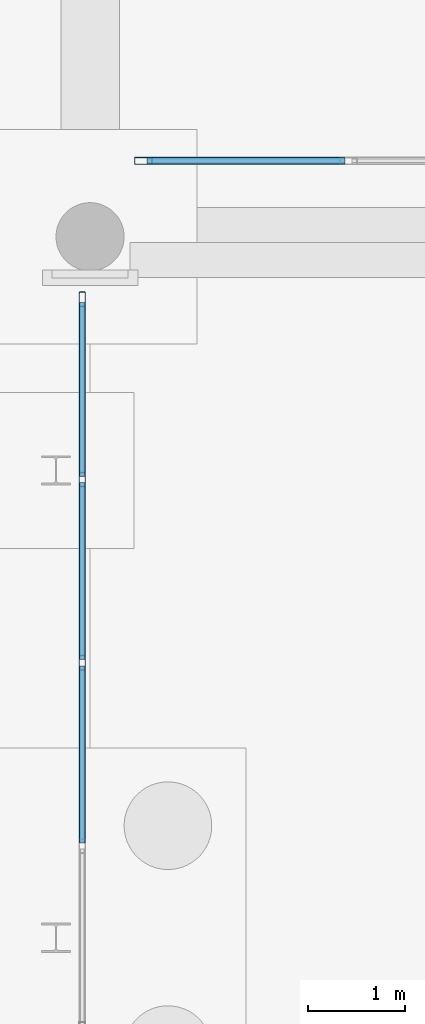
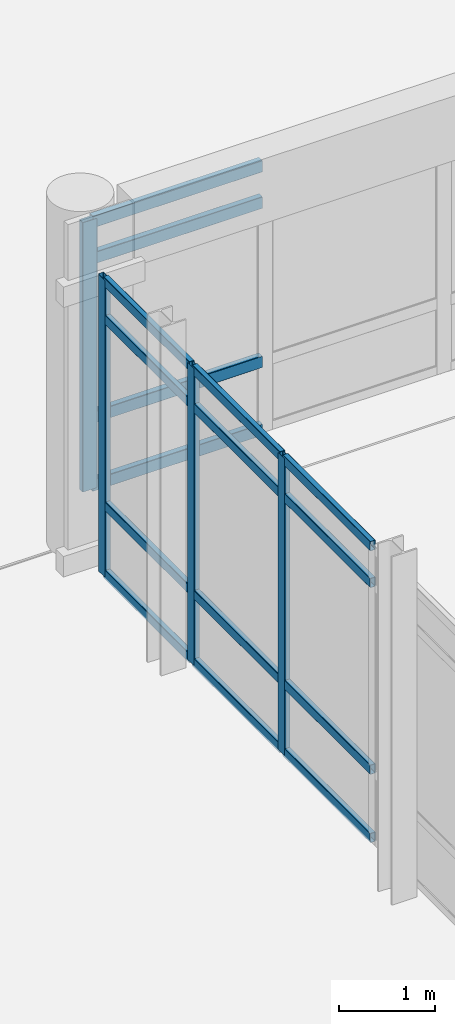
# One storey, part 114 of 196: 20 members, 2 elements without a shape of their own.
"""IFC4 building model written with IfcOpenShell, lengths in metres."""

from ifc_helpers import new_model, si_unit, direction, frame, origin, origin_2d, place, context, subcontext, project, spatial, hollow_rectangle, extrude, material, layer, layer_set, material_profile, profile_set, type_object, element, aggregate, save


model = new_model("IFC4")

# Units and contexts
model_context = context("Model", 3, precision=1e-05, world=origin(), true_north=direction((0.0, 1.0)))
body_context = subcontext(model_context, "Body", "Model", "MODEL_VIEW")
ifc_project = project(units=[si_unit("LENGTHUNIT", "METRE"), si_unit("AREAUNIT", "SQUARE_METRE"), si_unit("VOLUMEUNIT", "CUBIC_METRE"), si_unit("PLANEANGLEUNIT", "RADIAN"), si_unit("MASSUNIT", "GRAM", prefix="KILO")], contexts=[model_context])

# Site, building, storey
site_placement = place(None, origin())
site = spatial("IfcSite", under=ifc_project, at=site_placement, CompositionType="ELEMENT")
building_placement = place(site_placement, origin())
building = spatial("IfcBuilding", under=site, at=building_placement, Name="Asteropetra Specialist Clinic", CompositionType="ELEMENT")
storey_placement = place(building_placement, origin())
storey = spatial("IfcBuildingStorey", under=building, at=storey_placement, Name="L00", CompositionType="ELEMENT", Elevation=0.0)

# Curtain wall, members
ifc_material_1 = material(Name="Aluminium and low-E glass", Category="aluminium")
ifc_layer_1 = layer(ifc_material_1, 0.179931640625)
ifc_layer_set_1 = layer_set([ifc_layer_1], Name="Aluminium and low-E glass")
curtain_wall_type_1 = type_object("IfcCurtainWallType", Name="CW-SYS-01", PredefinedType="USERDEFINED", material=ifc_layer_set_1)
curtain_wall_1_placement = place(storey_placement, origin())
curtain_wall_1 = element("IfcCurtainWall", 1, at=curtain_wall_1_placement, inside=storey, type_object=curtain_wall_type_1, Name="Curtain Wall CW-118", ObjectType="UNITISED CURTAIN WALL", PredefinedType="USERDEFINED")
ifc_material_2 = material(Name="Aluminium 6063-T6", Category="aluminium")
ifc_material_profile_1 = material_profile(ifc_material_2, hollow_rectangle(XDim=0.06494140625, YDim=0.14990234375, WallThickness=0.00390625, InnerFilletRadius=0.00390625, OuterFilletRadius=0.008056640625, at=origin_2d()), Name="MUL 150x65x4.0")
ifc_profile_set_1 = profile_set([ifc_material_profile_1], Name="Aluminium 6063-T6")
member_type_1 = type_object("IfcMemberType", Name="CWM-150x65", PredefinedType="MULLION", material=ifc_profile_set_1)
member_1_placement = place(storey_placement, frame((124.719970703125, 76.157470703125, 0.0), z_axis=(0.0, 0.0, 1.0), x_axis=(1.0, 0.0, 0.0)))
member_1 = element("IfcMember", 2, at=member_1_placement, type_object=member_type_1, Name="CW-118 mullion 1", PredefinedType="MULLION", context=body_context, shape_type="SweptSolid", body=[
    extrude(hollow_rectangle(XDim=0.06494140625, YDim=0.14990234375, WallThickness=0.00390625, InnerFilletRadius=0.00390625, OuterFilletRadius=0.008056640625, at=origin_2d()), origin(), (0.0, 0.0, 1.0), 3.77001953125),
])
member_2_placement = place(storey_placement, frame((124.719970703125, 74.30712890625, 0.0), z_axis=(0.0, 0.0, 1.0), x_axis=(1.0, 0.0, 0.0)))
member_2 = element("IfcMember", 3, at=member_2_placement, type_object=member_type_1, Name="CW-118 mullion 2", PredefinedType="MULLION", context=body_context, shape_type="SweptSolid", body=[
    extrude(hollow_rectangle(XDim=0.06494140625, YDim=0.14990234375, WallThickness=0.00390625, InnerFilletRadius=0.00390625, OuterFilletRadius=0.008056640625, at=origin_2d()), origin(), (0.0, 0.0, 1.0), 3.77001953125),
])
member_3_placement = place(storey_placement, frame((124.719970703125, 72.42431640625, 0.0), z_axis=(0.0, 0.0, 1.0), x_axis=(1.0, 0.0, 0.0)))
member_3 = element("IfcMember", 4, at=member_3_placement, type_object=member_type_1, Name="CW-118 mullion 3", PredefinedType="MULLION", context=body_context, shape_type="SweptSolid", body=[
    extrude(hollow_rectangle(XDim=0.06494140625, YDim=0.14990234375, WallThickness=0.00390625, InnerFilletRadius=0.00390625, OuterFilletRadius=0.008056640625, at=origin_2d()), origin(), (0.0, 0.0, 1.0), 3.77001953125),
])

# Curtain wall, member
ifc_material_3 = material(Name="Aluminium and low-E glass", Category="aluminium")
ifc_layer_2 = layer(ifc_material_3, 0.135009765625)
ifc_layer_set_2 = layer_set([ifc_layer_2], Name="Aluminium and low-E glass")
curtain_wall_type_2 = type_object("IfcCurtainWallType", Name="CW-SYS-09", PredefinedType="USERDEFINED", material=ifc_layer_set_2)
curtain_wall_2_placement = place(storey_placement, origin())
curtain_wall_2 = element("IfcCurtainWall", 5, at=curtain_wall_2_placement, inside=storey, type_object=curtain_wall_type_2, Name="Curtain Wall CW-210", ObjectType="STICK GLAZED COLONNADE", PredefinedType="USERDEFINED")
ifc_material_4 = material(Name="Aluminium 6063-T6", Category="aluminium")
ifc_material_profile_2 = material_profile(ifc_material_4, hollow_rectangle(XDim=0.074951171875, YDim=0.179931640625, WallThickness=0.00390625, InnerFilletRadius=0.00390625, OuterFilletRadius=0.008056640625, at=origin_2d()), Name="MUL 180x75x4.0")
ifc_profile_set_2 = profile_set([ifc_material_profile_2], Name="Aluminium 6063-T6")
member_type_2 = type_object("IfcMemberType", Name="CWM-180x75", PredefinedType="MULLION", material=ifc_profile_set_2)
member_4_placement = place(storey_placement, frame((125.347412109375, 77.580078125, 0.0), z_axis=(0.0, 0.0, 1.0), x_axis=(0.0, 1.0, 0.0)))
member_4 = element("IfcMember", 6, at=member_4_placement, type_object=member_type_2, Name="CW-210 mullion 1", PredefinedType="MULLION", context=body_context, shape_type="SweptSolid", body=[
    extrude(hollow_rectangle(XDim=0.074951171875, YDim=0.179931640625, WallThickness=0.00390625, InnerFilletRadius=0.00390625, OuterFilletRadius=0.008056640625, at=origin_2d()), origin(), (0.0, 0.0, 1.0), 3.419921875),
])

# Member
ifc_material_5 = material(Name="Aluminium 6063-T6", Category="aluminium")
ifc_material_profile_3 = material_profile(ifc_material_5, hollow_rectangle(XDim=0.06494140625, YDim=0.1201171875, WallThickness=0.00390625, InnerFilletRadius=0.00390625, OuterFilletRadius=0.008056640625, at=origin_2d()), Name="TRN 120x65x4.0")
ifc_profile_set_3 = profile_set([ifc_material_profile_3], Name="Aluminium 6063-T6")
member_type_3 = type_object("IfcMemberType", Name="CWT-120x65", PredefinedType="USERDEFINED", material=ifc_profile_set_3)
member_5_placement = place(storey_placement, frame((124.719970703125, 76.125, 0.032470703125), z_axis=(0.0, -1.0, 0.0), x_axis=(1.0, 0.0, 0.0)))
member_5 = element("IfcMember", 7, at=member_5_placement, type_object=member_type_3, Name="CW-118 transom 1.1", ObjectType="TRANSOM", PredefinedType="USERDEFINED", context=body_context, shape_type="SweptSolid", body=[
    extrude(hollow_rectangle(XDim=0.06494140625, YDim=0.1201171875, WallThickness=0.00390625, InnerFilletRadius=0.00390625, OuterFilletRadius=0.008056640625, at=origin_2d()), origin(), (0.0, 0.0, 1.0), 1.785400390625),
])

member_6_placement = place(storey_placement, frame((124.719970703125, 76.125, 0.89990234375), z_axis=(0.0, -1.0, 0.0), x_axis=(1.0, 0.0, 0.0)))
member_6 = element("IfcMember", 8, at=member_6_placement, type_object=member_type_3, Name="CW-118 transom 1.2", ObjectType="TRANSOM", PredefinedType="USERDEFINED", context=body_context, shape_type="SweptSolid", body=[
    extrude(hollow_rectangle(XDim=0.06494140625, YDim=0.1201171875, WallThickness=0.00390625, InnerFilletRadius=0.00390625, OuterFilletRadius=0.008056640625, at=origin_2d()), origin(), (0.0, 0.0, 1.0), 1.785400390625),
])

member_7_placement = place(storey_placement, frame((124.719970703125, 76.125, 3.27001953125), z_axis=(0.0, -1.0, 0.0), x_axis=(1.0, 0.0, 0.0)))
member_7 = element("IfcMember", 9, at=member_7_placement, type_object=member_type_3, Name="CW-118 transom 1.3", ObjectType="TRANSOM", PredefinedType="USERDEFINED", context=body_context, shape_type="SweptSolid", body=[
    extrude(hollow_rectangle(XDim=0.06494140625, YDim=0.1201171875, WallThickness=0.00390625, InnerFilletRadius=0.00390625, OuterFilletRadius=0.008056640625, at=origin_2d()), origin(), (0.0, 0.0, 1.0), 1.785400390625),
])

member_8_placement = place(storey_placement, frame((124.719970703125, 76.125, 3.737548828125), z_axis=(0.0, -1.0, 0.0), x_axis=(1.0, 0.0, 0.0)))
member_8 = element("IfcMember", 10, at=member_8_placement, type_object=member_type_3, Name="CW-118 transom 1.4", ObjectType="TRANSOM", PredefinedType="USERDEFINED", context=body_context, shape_type="SweptSolid", body=[
    extrude(hollow_rectangle(XDim=0.06494140625, YDim=0.1201171875, WallThickness=0.00390625, InnerFilletRadius=0.00390625, OuterFilletRadius=0.008056640625, at=origin_2d()), origin(), (0.0, 0.0, 1.0), 1.785400390625),
])

member_9_placement = place(storey_placement, frame((124.719970703125, 74.274658203125, 0.032470703125), z_axis=(0.0, -1.0, 0.0), x_axis=(1.0, 0.0, 0.0)))
member_9 = element("IfcMember", 11, at=member_9_placement, type_object=member_type_3, Name="CW-118 transom 2.1", ObjectType="TRANSOM", PredefinedType="USERDEFINED", context=body_context, shape_type="SweptSolid", body=[
    extrude(hollow_rectangle(XDim=0.06494140625, YDim=0.1201171875, WallThickness=0.00390625, InnerFilletRadius=0.00390625, OuterFilletRadius=0.008056640625, at=origin_2d()), origin(), (0.0, 0.0, 1.0), 1.81787109375),
])

member_10_placement = place(storey_placement, frame((124.719970703125, 74.274658203125, 0.89990234375), z_axis=(0.0, -1.0, 0.0), x_axis=(1.0, 0.0, 0.0)))
member_10 = element("IfcMember", 12, at=member_10_placement, type_object=member_type_3, Name="CW-118 transom 2.2", ObjectType="TRANSOM", PredefinedType="USERDEFINED", context=body_context, shape_type="SweptSolid", body=[
    extrude(hollow_rectangle(XDim=0.06494140625, YDim=0.1201171875, WallThickness=0.00390625, InnerFilletRadius=0.00390625, OuterFilletRadius=0.008056640625, at=origin_2d()), origin(), (0.0, 0.0, 1.0), 1.81787109375),
])

member_11_placement = place(storey_placement, frame((124.719970703125, 74.274658203125, 3.27001953125), z_axis=(0.0, -1.0, 0.0), x_axis=(1.0, 0.0, 0.0)))
member_11 = element("IfcMember", 13, at=member_11_placement, type_object=member_type_3, Name="CW-118 transom 2.3", ObjectType="TRANSOM", PredefinedType="USERDEFINED", context=body_context, shape_type="SweptSolid", body=[
    extrude(hollow_rectangle(XDim=0.06494140625, YDim=0.1201171875, WallThickness=0.00390625, InnerFilletRadius=0.00390625, OuterFilletRadius=0.008056640625, at=origin_2d()), origin(), (0.0, 0.0, 1.0), 1.81787109375),
])

member_12_placement = place(storey_placement, frame((124.719970703125, 74.274658203125, 3.737548828125), z_axis=(0.0, -1.0, 0.0), x_axis=(1.0, 0.0, 0.0)))
member_12 = element("IfcMember", 14, at=member_12_placement, type_object=member_type_3, Name="CW-118 transom 2.4", ObjectType="TRANSOM", PredefinedType="USERDEFINED", context=body_context, shape_type="SweptSolid", body=[
    extrude(hollow_rectangle(XDim=0.06494140625, YDim=0.1201171875, WallThickness=0.00390625, InnerFilletRadius=0.00390625, OuterFilletRadius=0.008056640625, at=origin_2d()), origin(), (0.0, 0.0, 1.0), 1.81787109375),
])

member_13_placement = place(storey_placement, frame((124.719970703125, 72.391845703125, 0.032470703125), z_axis=(0.0, -1.0, 0.0), x_axis=(1.0, 0.0, 0.0)))
member_13 = element("IfcMember", 15, at=member_13_placement, type_object=member_type_3, Name="CW-118 transom 3.1", ObjectType="TRANSOM", PredefinedType="USERDEFINED", context=body_context, shape_type="SweptSolid", body=[
    extrude(hollow_rectangle(XDim=0.06494140625, YDim=0.1201171875, WallThickness=0.00390625, InnerFilletRadius=0.00390625, OuterFilletRadius=0.008056640625, at=origin_2d()), origin(), (0.0, 0.0, 1.0), 1.81787109375),
])

member_14_placement = place(storey_placement, frame((124.719970703125, 72.391845703125, 0.89990234375), z_axis=(0.0, -1.0, 0.0), x_axis=(1.0, 0.0, 0.0)))
member_14 = element("IfcMember", 16, at=member_14_placement, type_object=member_type_3, Name="CW-118 transom 3.2", ObjectType="TRANSOM", PredefinedType="USERDEFINED", context=body_context, shape_type="SweptSolid", body=[
    extrude(hollow_rectangle(XDim=0.06494140625, YDim=0.1201171875, WallThickness=0.00390625, InnerFilletRadius=0.00390625, OuterFilletRadius=0.008056640625, at=origin_2d()), origin(), (0.0, 0.0, 1.0), 1.81787109375),
])

member_15_placement = place(storey_placement, frame((124.719970703125, 72.391845703125, 3.27001953125), z_axis=(0.0, -1.0, 0.0), x_axis=(1.0, 0.0, 0.0)))
member_15 = element("IfcMember", 17, at=member_15_placement, type_object=member_type_3, Name="CW-118 transom 3.3", ObjectType="TRANSOM", PredefinedType="USERDEFINED", context=body_context, shape_type="SweptSolid", body=[
    extrude(hollow_rectangle(XDim=0.06494140625, YDim=0.1201171875, WallThickness=0.00390625, InnerFilletRadius=0.00390625, OuterFilletRadius=0.008056640625, at=origin_2d()), origin(), (0.0, 0.0, 1.0), 1.81787109375),
])

member_16_placement = place(storey_placement, frame((124.719970703125, 72.391845703125, 3.737548828125), z_axis=(0.0, -1.0, 0.0), x_axis=(1.0, 0.0, 0.0)))
member_16 = element("IfcMember", 18, at=member_16_placement, type_object=member_type_3, Name="CW-118 transom 3.4", ObjectType="TRANSOM", PredefinedType="USERDEFINED", context=body_context, shape_type="SweptSolid", body=[
    extrude(hollow_rectangle(XDim=0.06494140625, YDim=0.1201171875, WallThickness=0.00390625, InnerFilletRadius=0.00390625, OuterFilletRadius=0.008056640625, at=origin_2d()), origin(), (0.0, 0.0, 1.0), 1.81787109375),
])

aggregate(curtain_wall_1, [member_1, member_2, member_3, member_5, member_6, member_7, member_8, member_9, member_10, member_11, member_12, member_13, member_14, member_15, member_16])

ifc_material_6 = material(Name="Aluminium 6063-T6", Category="aluminium")
ifc_material_profile_4 = material_profile(ifc_material_6, hollow_rectangle(XDim=0.074951171875, YDim=0.14990234375, WallThickness=0.00390625, InnerFilletRadius=0.00390625, OuterFilletRadius=0.008056640625, at=origin_2d()), Name="TRN 150x75x4.0")
ifc_profile_set_4 = profile_set([ifc_material_profile_4], Name="Aluminium 6063-T6")
member_type_4 = type_object("IfcMemberType", Name="CWT-150x75", PredefinedType="USERDEFINED", material=ifc_profile_set_4)
member_17_placement = place(storey_placement, frame((125.385009765625, 77.580078125, 0.03759765625), z_axis=(1.0, 0.0, 0.0), x_axis=(0.0, 1.0, 0.0)))
member_17 = element("IfcMember", 19, at=member_17_placement, type_object=member_type_4, Name="CW-210 transom 1.1", ObjectType="TRANSOM", PredefinedType="USERDEFINED", context=body_context, shape_type="SweptSolid", body=[
    extrude(hollow_rectangle(XDim=0.074951171875, YDim=0.14990234375, WallThickness=0.00390625, InnerFilletRadius=0.00390625, OuterFilletRadius=0.008056640625, at=origin_2d()), origin(), (0.0, 0.0, 1.0), 2.032470703125),
])

member_18_placement = place(storey_placement, frame((125.385009765625, 77.580078125, 0.89990234375), z_axis=(1.0, 0.0, 0.0), x_axis=(0.0, 1.0, 0.0)))
member_18 = element("IfcMember", 20, at=member_18_placement, type_object=member_type_4, Name="CW-210 transom 1.2", ObjectType="TRANSOM", PredefinedType="USERDEFINED", context=body_context, shape_type="SweptSolid", body=[
    extrude(hollow_rectangle(XDim=0.074951171875, YDim=0.14990234375, WallThickness=0.00390625, InnerFilletRadius=0.00390625, OuterFilletRadius=0.008056640625, at=origin_2d()), origin(), (0.0, 0.0, 1.0), 2.032470703125),
])

member_19_placement = place(storey_placement, frame((125.385009765625, 77.580078125, 2.919921875), z_axis=(1.0, 0.0, 0.0), x_axis=(0.0, 1.0, 0.0)))
member_19 = element("IfcMember", 21, at=member_19_placement, type_object=member_type_4, Name="CW-210 transom 1.3", ObjectType="TRANSOM", PredefinedType="USERDEFINED", context=body_context, shape_type="SweptSolid", body=[
    extrude(hollow_rectangle(XDim=0.074951171875, YDim=0.14990234375, WallThickness=0.00390625, InnerFilletRadius=0.00390625, OuterFilletRadius=0.008056640625, at=origin_2d()), origin(), (0.0, 0.0, 1.0), 2.032470703125),
])

member_20_placement = place(storey_placement, frame((125.385009765625, 77.580078125, 3.382568359375), z_axis=(1.0, 0.0, 0.0), x_axis=(0.0, 1.0, 0.0)))
member_20 = element("IfcMember", 22, at=member_20_placement, type_object=member_type_4, Name="CW-210 transom 1.4", ObjectType="TRANSOM", PredefinedType="USERDEFINED", context=body_context, shape_type="SweptSolid", body=[
    extrude(hollow_rectangle(XDim=0.074951171875, YDim=0.14990234375, WallThickness=0.00390625, InnerFilletRadius=0.00390625, OuterFilletRadius=0.008056640625, at=origin_2d()), origin(), (0.0, 0.0, 1.0), 2.032470703125),
])

aggregate(curtain_wall_2, [member_4, member_17, member_18, member_19, member_20])

save(model, "model.ifc")
